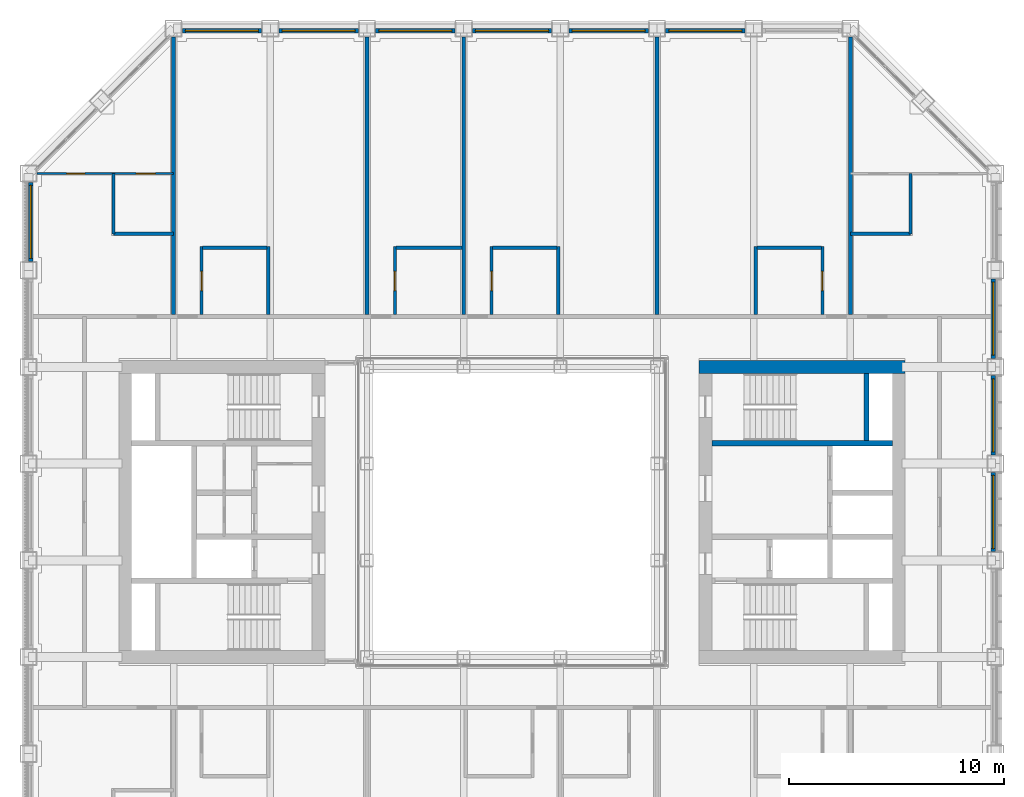
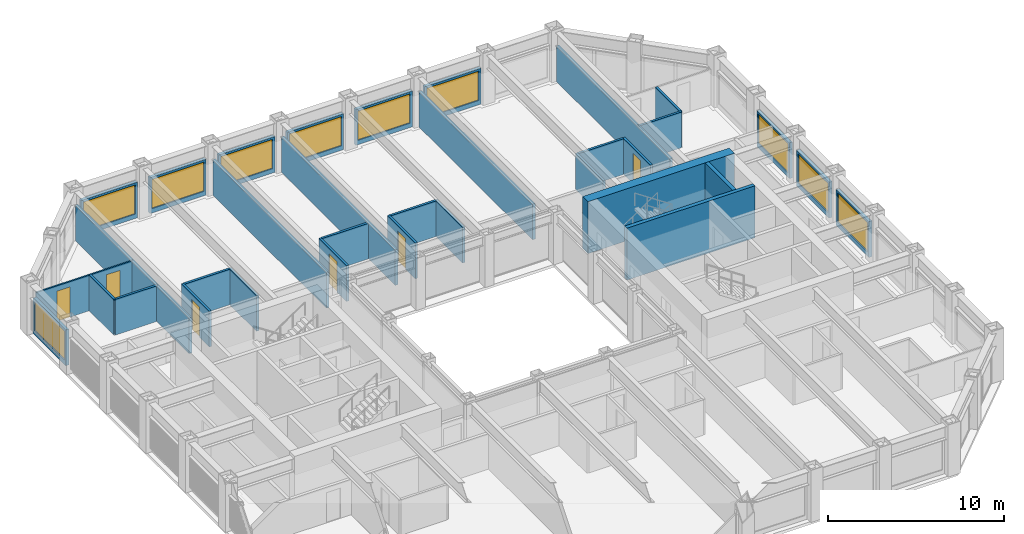
# One storey, part 13 of 17: 34 walls, 10 windows, 6 doors, 16 openings.
"""IFC4 building model written with IfcOpenShell, lengths in metres."""

from ifc_helpers import new_model, si_unit, direction, frame, frame_2d, origin, place, context, subcontext, project, spatial, rectangle, extrude, material, layer, layer_set, type_object, element, fill, save


model = new_model("IFC4")

# Units and contexts
model_context = context("Model", 3, precision=1e-05, world=origin(), true_north=direction((0.0, 1.0)))
body_context = subcontext(model_context, "Body", "Model", "MODEL_VIEW")
ifc_project = project(units=[si_unit("LENGTHUNIT", "METRE"), si_unit("AREAUNIT", "SQUARE_METRE"), si_unit("VOLUMEUNIT", "CUBIC_METRE"), si_unit("PLANEANGLEUNIT", "RADIAN"), si_unit("MASSUNIT", "GRAM", prefix="KILO")], contexts=[model_context])

# Site, building, storey
site_placement = place(None, origin())
site = spatial("IfcSite", under=ifc_project, at=site_placement, CompositionType="ELEMENT")
building_placement = place(site_placement, origin())
building = spatial("IfcBuilding", under=site, at=building_placement, Name="Msasa Ring Tower", CompositionType="ELEMENT")
storey_placement = place(building_placement, frame((0.0, 0.0, 168.800048828125)))
storey = spatial("IfcBuildingStorey", under=building, at=storey_placement, Name="L44", CompositionType="ELEMENT", Elevation=168.800048828125)

# Walls
ifc_material_1 = material(Name="Concrete C60/75", Category="concrete")
ifc_layer_1 = layer(ifc_material_1, 0.60009765625)
ifc_layer_set_1 = layer_set([ifc_layer_1], Name="CW2 CORE WALL 600")
wall_type_1 = type_object("IfcWallType", Name="CW2 CORE WALL 600", PredefinedType="SHEAR", material=ifc_layer_set_1)
wall_1_placement = place(storey_placement, frame((8.699951171875, 6.75, 0.0), z_axis=(0.0, 0.0, 1.0), x_axis=(1.0, 0.0, 0.0)))
element("IfcWall", 1, at=wall_1_placement, inside=storey, type_object=wall_type_1, Name="E core wall N L44", PredefinedType="SHEAR", context=body_context, shape_type="SweptSolid", body=[
    extrude(rectangle(XDim=9.60009765625, YDim=0.60009765625, at=frame_2d((4.800048828125, 0.0))), origin(), (0.0, 0.0, 1.0), 3.599853515625),
])
ifc_material_2 = material(Name="Concrete C60/75", Category="concrete")
ifc_layer_2 = layer(ifc_material_2, 0.25)
ifc_layer_set_2 = layer_set([ifc_layer_2], Name="CW4 CORE INNER WALL 250")
wall_type_2 = type_object("IfcWallType", Name="CW4 CORE INNER WALL 250", PredefinedType="SHEAR", material=ifc_layer_set_2)
wall_2_placement = place(storey_placement, frame((9.300048828125, 3.199951171875, 0.0), z_axis=(0.0, 0.0, 1.0), x_axis=(1.0, 0.0, 0.0)))
element("IfcWall", 2, at=wall_2_placement, inside=storey, type_object=wall_type_2, Name="E core wall STAIRB L44", PredefinedType="SHEAR", context=body_context, shape_type="SweptSolid", body=[
    extrude(rectangle(XDim=8.39990234375, YDim=0.25, at=frame_2d((4.199951171875, 0.0))), origin(), (0.0, 0.0, 1.0), 3.599853515625),
])
wall_3_placement = place(storey_placement, frame((16.5, 3.324951171875, 0.0), z_axis=(0.0, 0.0, 1.0), x_axis=(0.0, 1.0, 0.0)))
element("IfcWall", 3, at=wall_3_placement, inside=storey, type_object=wall_type_2, Name="E core wall RISERB L44", PredefinedType="SHEAR", context=body_context, shape_type="SweptSolid", body=[
    extrude(rectangle(XDim=3.125, YDim=0.25, at=frame_2d((1.5625, 0.0))), origin(), (0.0, 0.0, 1.0), 3.599853515625),
])

# Wall, opening, window
ifc_material_3 = material(Name="Terracotta rainscreen on blockwork", Category="masonry")
ifc_layer_3 = layer(ifc_material_3, 0.199951171875)
ifc_layer_set_3 = layer_set([ifc_layer_3], Name="FW1 TERRACOTTA-LINED INFILL BAY WALL 200")
wall_type_3 = type_object("IfcWallType", Name="FW1 TERRACOTTA-LINED INFILL BAY WALL 200", PredefinedType="SOLIDWALL", material=ifc_layer_set_3)
wall_4_placement = place(storey_placement, frame((22.39990234375, -1.844970703125, 0.0), z_axis=(0.0, 0.0, 1.0), x_axis=(0.0, 1.0, 0.0)))
wall_4 = element("IfcWall", 4, at=wall_4_placement, inside=storey, type_object=wall_type_3, Name="Infill bay wall E L44 12", PredefinedType="SOLIDWALL", context=body_context, shape_type="SweptSolid", body=[
    extrude(rectangle(XDim=3.68994140625, YDim=0.199951171875, at=frame_2d((1.844970703125, 0.0))), origin(), (0.0, 0.0, 1.0), 2.47900390625),
])
opening_1_placement = place(wall_4_placement, frame((0.14501953125, 0.0, 0.300048828125)))
opening_1 = element("IfcOpeningElement", 5, at=opening_1_placement, cuts=wall_4, Name="Opening WN2", PredefinedType="OPENING", context=body_context, shape_type="SweptSolid", body=[
    extrude(rectangle(XDim=3.39990234375, YDim=2.029052734375, at=frame_2d((1.699951171875, 1.0146484375))), frame((0.0, 0.10986328125, 0.0), z_axis=(0.0, -1.0, 0.0), x_axis=(1.0, 0.0, 0.0)), (0.0, 0.0, 1.0), 0.219970703125),
])
ifc_material_4 = material(Name="Aluminium frame with clear glass", Category="aluminium")
window_type = type_object("IfcWindowType", Name="WN2 GUEST ROOM WINDOW 3400x2029", PartitioningType="SINGLE_PANEL", PredefinedType="WINDOW", material=ifc_material_4)
window_1_placement = place(opening_1_placement, origin())
window_1 = element("IfcWindow", 6, at=window_1_placement, inside=storey, type_object=window_type, Name="Window E L44 12", OverallHeight=2.029052734375, OverallWidth=3.39990234375, PartitioningType="SINGLE_PANEL", PredefinedType="WINDOW", context=body_context, shape_type="SweptSolid", body=[
    extrude(rectangle(XDim=3.39990234375, YDim=2.029052734375, at=frame_2d((1.699951171875, 1.0146484375))), frame((0.0, 0.030029296875, 0.0), z_axis=(0.0, -1.0, 0.0), x_axis=(1.0, 0.0, 0.0)), (0.0, 0.0, 1.0), 0.06005859375),
])
fill(opening_1, window_1)

wall_5_placement = place(storey_placement, frame((22.39990234375, 2.655029296875, 0.0), z_axis=(0.0, 0.0, 1.0), x_axis=(0.0, 1.0, 0.0)))
wall_5 = element("IfcWall", 7, at=wall_5_placement, inside=storey, type_object=wall_type_3, Name="Infill bay wall E L44 13", PredefinedType="SOLIDWALL", context=body_context, shape_type="SweptSolid", body=[
    extrude(rectangle(XDim=3.68994140625, YDim=0.199951171875, at=frame_2d((1.844970703125, 0.0))), origin(), (0.0, 0.0, 1.0), 2.47900390625),
])
opening_2_placement = place(wall_5_placement, frame((0.14501953125, 0.0, 0.300048828125)))
opening_2 = element("IfcOpeningElement", 8, at=opening_2_placement, cuts=wall_5, Name="Opening WN2", PredefinedType="OPENING", context=body_context, shape_type="SweptSolid", body=[
    extrude(rectangle(XDim=3.39990234375, YDim=2.029052734375, at=frame_2d((1.699951171875, 1.0146484375))), frame((0.0, 0.10986328125, 0.0), z_axis=(0.0, -1.0, 0.0), x_axis=(1.0, 0.0, 0.0)), (0.0, 0.0, 1.0), 0.219970703125),
])
window_2_placement = place(opening_2_placement, origin())
window_2 = element("IfcWindow", 9, at=window_2_placement, inside=storey, type_object=window_type, Name="Window E L44 13", OverallHeight=2.029052734375, OverallWidth=3.39990234375, PartitioningType="SINGLE_PANEL", PredefinedType="WINDOW", context=body_context, shape_type="SweptSolid", body=[
    extrude(rectangle(XDim=3.39990234375, YDim=2.029052734375, at=frame_2d((1.699951171875, 1.0146484375))), frame((0.0, 0.030029296875, 0.0), z_axis=(0.0, -1.0, 0.0), x_axis=(1.0, 0.0, 0.0)), (0.0, 0.0, 1.0), 0.06005859375),
])
fill(opening_2, window_2)

wall_6_placement = place(storey_placement, frame((22.39990234375, 7.155029296875, 0.0), z_axis=(0.0, 0.0, 1.0), x_axis=(0.0, 1.0, 0.0)))
wall_6 = element("IfcWall", 10, at=wall_6_placement, inside=storey, type_object=wall_type_3, Name="Infill bay wall E L44 14", PredefinedType="SOLIDWALL", context=body_context, shape_type="SweptSolid", body=[
    extrude(rectangle(XDim=3.68994140625, YDim=0.199951171875, at=frame_2d((1.844970703125, 0.0))), origin(), (0.0, 0.0, 1.0), 2.47900390625),
])
opening_3_placement = place(wall_6_placement, frame((0.14501953125, 0.0, 0.300048828125)))
opening_3 = element("IfcOpeningElement", 11, at=opening_3_placement, cuts=wall_6, Name="Opening WN2", PredefinedType="OPENING", context=body_context, shape_type="SweptSolid", body=[
    extrude(rectangle(XDim=3.39990234375, YDim=2.029052734375, at=frame_2d((1.699951171875, 1.0146484375))), frame((0.0, 0.10986328125, 0.0), z_axis=(0.0, -1.0, 0.0), x_axis=(1.0, 0.0, 0.0)), (0.0, 0.0, 1.0), 0.219970703125),
])
window_3_placement = place(opening_3_placement, origin())
window_3 = element("IfcWindow", 12, at=window_3_placement, inside=storey, type_object=window_type, Name="Window E L44 14", OverallHeight=2.029052734375, OverallWidth=3.39990234375, PartitioningType="SINGLE_PANEL", PredefinedType="WINDOW", context=body_context, shape_type="SweptSolid", body=[
    extrude(rectangle(XDim=3.39990234375, YDim=2.029052734375, at=frame_2d((1.699951171875, 1.0146484375))), frame((0.0, 0.030029296875, 0.0), z_axis=(0.0, -1.0, 0.0), x_axis=(1.0, 0.0, 0.0)), (0.0, 0.0, 1.0), 0.06005859375),
])
fill(opening_3, window_3)

wall_7_placement = place(storey_placement, frame((-15.344970703125, 22.39990234375, 0.0), z_axis=(0.0, 0.0, 1.0), x_axis=(1.0, 0.0, 0.0)))
wall_7 = element("IfcWall", 13, at=wall_7_placement, inside=storey, type_object=wall_type_3, Name="Infill bay wall N L44 18", PredefinedType="SOLIDWALL", context=body_context, shape_type="SweptSolid", body=[
    extrude(rectangle(XDim=3.68994140625, YDim=0.199951171875, at=frame_2d((1.844970703125, 0.0))), origin(), (0.0, 0.0, 1.0), 2.47900390625),
])
opening_4_placement = place(wall_7_placement, frame((0.14501953125, 0.0, 0.300048828125)))
opening_4 = element("IfcOpeningElement", 14, at=opening_4_placement, cuts=wall_7, Name="Opening WN2", PredefinedType="OPENING", context=body_context, shape_type="SweptSolid", body=[
    extrude(rectangle(XDim=3.39990234375, YDim=2.029052734375, at=frame_2d((1.699951171875, 1.0146484375))), frame((0.0, 0.10986328125, 0.0), z_axis=(0.0, -1.0, 0.0), x_axis=(1.0, 0.0, 0.0)), (0.0, 0.0, 1.0), 0.219970703125),
])
window_4_placement = place(opening_4_placement, origin())
window_4 = element("IfcWindow", 15, at=window_4_placement, inside=storey, type_object=window_type, Name="Window N L44 18", OverallHeight=2.029052734375, OverallWidth=3.39990234375, PartitioningType="SINGLE_PANEL", PredefinedType="WINDOW", context=body_context, shape_type="SweptSolid", body=[
    extrude(rectangle(XDim=3.39990234375, YDim=2.029052734375, at=frame_2d((1.699951171875, 1.0146484375))), frame((0.0, 0.030029296875, 0.0), z_axis=(0.0, -1.0, 0.0), x_axis=(1.0, 0.0, 0.0)), (0.0, 0.0, 1.0), 0.06005859375),
])
fill(opening_4, window_4)

wall_8_placement = place(storey_placement, frame((-10.844970703125, 22.39990234375, 0.0), z_axis=(0.0, 0.0, 1.0), x_axis=(1.0, 0.0, 0.0)))
wall_8 = element("IfcWall", 16, at=wall_8_placement, inside=storey, type_object=wall_type_3, Name="Infill bay wall N L44 19", PredefinedType="SOLIDWALL", context=body_context, shape_type="SweptSolid", body=[
    extrude(rectangle(XDim=3.68994140625, YDim=0.199951171875, at=frame_2d((1.844970703125, 0.0))), origin(), (0.0, 0.0, 1.0), 2.47900390625),
])
opening_5_placement = place(wall_8_placement, frame((0.14501953125, 0.0, 0.300048828125)))
opening_5 = element("IfcOpeningElement", 17, at=opening_5_placement, cuts=wall_8, Name="Opening WN2", PredefinedType="OPENING", context=body_context, shape_type="SweptSolid", body=[
    extrude(rectangle(XDim=3.39990234375, YDim=2.029052734375, at=frame_2d((1.699951171875, 1.0146484375))), frame((0.0, 0.10986328125, 0.0), z_axis=(0.0, -1.0, 0.0), x_axis=(1.0, 0.0, 0.0)), (0.0, 0.0, 1.0), 0.219970703125),
])
window_5_placement = place(opening_5_placement, origin())
window_5 = element("IfcWindow", 18, at=window_5_placement, inside=storey, type_object=window_type, Name="Window N L44 19", OverallHeight=2.029052734375, OverallWidth=3.39990234375, PartitioningType="SINGLE_PANEL", PredefinedType="WINDOW", context=body_context, shape_type="SweptSolid", body=[
    extrude(rectangle(XDim=3.39990234375, YDim=2.029052734375, at=frame_2d((1.699951171875, 1.0146484375))), frame((0.0, 0.030029296875, 0.0), z_axis=(0.0, -1.0, 0.0), x_axis=(1.0, 0.0, 0.0)), (0.0, 0.0, 1.0), 0.06005859375),
])
fill(opening_5, window_5)

wall_9_placement = place(storey_placement, frame((-6.344970703125, 22.39990234375, 0.0), z_axis=(0.0, 0.0, 1.0), x_axis=(1.0, 0.0, 0.0)))
wall_9 = element("IfcWall", 19, at=wall_9_placement, inside=storey, type_object=wall_type_3, Name="Infill bay wall N L44 20", PredefinedType="SOLIDWALL", context=body_context, shape_type="SweptSolid", body=[
    extrude(rectangle(XDim=3.68994140625, YDim=0.199951171875, at=frame_2d((1.844970703125, 0.0))), origin(), (0.0, 0.0, 1.0), 2.47900390625),
])
opening_6_placement = place(wall_9_placement, frame((0.14501953125, 0.0, 0.300048828125)))
opening_6 = element("IfcOpeningElement", 20, at=opening_6_placement, cuts=wall_9, Name="Opening WN2", PredefinedType="OPENING", context=body_context, shape_type="SweptSolid", body=[
    extrude(rectangle(XDim=3.39990234375, YDim=2.029052734375, at=frame_2d((1.699951171875, 1.0146484375))), frame((0.0, 0.10986328125, 0.0), z_axis=(0.0, -1.0, 0.0), x_axis=(1.0, 0.0, 0.0)), (0.0, 0.0, 1.0), 0.219970703125),
])
window_6_placement = place(opening_6_placement, origin())
window_6 = element("IfcWindow", 21, at=window_6_placement, inside=storey, type_object=window_type, Name="Window N L44 20", OverallHeight=2.029052734375, OverallWidth=3.39990234375, PartitioningType="SINGLE_PANEL", PredefinedType="WINDOW", context=body_context, shape_type="SweptSolid", body=[
    extrude(rectangle(XDim=3.39990234375, YDim=2.029052734375, at=frame_2d((1.699951171875, 1.0146484375))), frame((0.0, 0.030029296875, 0.0), z_axis=(0.0, -1.0, 0.0), x_axis=(1.0, 0.0, 0.0)), (0.0, 0.0, 1.0), 0.06005859375),
])
fill(opening_6, window_6)

wall_10_placement = place(storey_placement, frame((-1.844970703125, 22.39990234375, 0.0), z_axis=(0.0, 0.0, 1.0), x_axis=(1.0, 0.0, 0.0)))
wall_10 = element("IfcWall", 22, at=wall_10_placement, inside=storey, type_object=wall_type_3, Name="Infill bay wall N L44 21", PredefinedType="SOLIDWALL", context=body_context, shape_type="SweptSolid", body=[
    extrude(rectangle(XDim=3.68994140625, YDim=0.199951171875, at=frame_2d((1.844970703125, 0.0))), origin(), (0.0, 0.0, 1.0), 2.47900390625),
])
opening_7_placement = place(wall_10_placement, frame((0.14501953125, 0.0, 0.300048828125)))
opening_7 = element("IfcOpeningElement", 23, at=opening_7_placement, cuts=wall_10, Name="Opening WN2", PredefinedType="OPENING", context=body_context, shape_type="SweptSolid", body=[
    extrude(rectangle(XDim=3.39990234375, YDim=2.029052734375, at=frame_2d((1.699951171875, 1.0146484375))), frame((0.0, 0.10986328125, 0.0), z_axis=(0.0, -1.0, 0.0), x_axis=(1.0, 0.0, 0.0)), (0.0, 0.0, 1.0), 0.219970703125),
])
window_7_placement = place(opening_7_placement, origin())
window_7 = element("IfcWindow", 24, at=window_7_placement, inside=storey, type_object=window_type, Name="Window N L44 21", OverallHeight=2.029052734375, OverallWidth=3.39990234375, PartitioningType="SINGLE_PANEL", PredefinedType="WINDOW", context=body_context, shape_type="SweptSolid", body=[
    extrude(rectangle(XDim=3.39990234375, YDim=2.029052734375, at=frame_2d((1.699951171875, 1.0146484375))), frame((0.0, 0.030029296875, 0.0), z_axis=(0.0, -1.0, 0.0), x_axis=(1.0, 0.0, 0.0)), (0.0, 0.0, 1.0), 0.06005859375),
])
fill(opening_7, window_7)

wall_11_placement = place(storey_placement, frame((2.655029296875, 22.39990234375, 0.0), z_axis=(0.0, 0.0, 1.0), x_axis=(1.0, 0.0, 0.0)))
wall_11 = element("IfcWall", 25, at=wall_11_placement, inside=storey, type_object=wall_type_3, Name="Infill bay wall N L44 22", PredefinedType="SOLIDWALL", context=body_context, shape_type="SweptSolid", body=[
    extrude(rectangle(XDim=3.68994140625, YDim=0.199951171875, at=frame_2d((1.844970703125, 0.0))), origin(), (0.0, 0.0, 1.0), 2.47900390625),
])
opening_8_placement = place(wall_11_placement, frame((0.14501953125, 0.0, 0.300048828125)))
opening_8 = element("IfcOpeningElement", 26, at=opening_8_placement, cuts=wall_11, Name="Opening WN2", PredefinedType="OPENING", context=body_context, shape_type="SweptSolid", body=[
    extrude(rectangle(XDim=3.39990234375, YDim=2.029052734375, at=frame_2d((1.699951171875, 1.0146484375))), frame((0.0, 0.10986328125, 0.0), z_axis=(0.0, -1.0, 0.0), x_axis=(1.0, 0.0, 0.0)), (0.0, 0.0, 1.0), 0.219970703125),
])
window_8_placement = place(opening_8_placement, origin())
window_8 = element("IfcWindow", 27, at=window_8_placement, inside=storey, type_object=window_type, Name="Window N L44 22", OverallHeight=2.029052734375, OverallWidth=3.39990234375, PartitioningType="SINGLE_PANEL", PredefinedType="WINDOW", context=body_context, shape_type="SweptSolid", body=[
    extrude(rectangle(XDim=3.39990234375, YDim=2.029052734375, at=frame_2d((1.699951171875, 1.0146484375))), frame((0.0, 0.030029296875, 0.0), z_axis=(0.0, -1.0, 0.0), x_axis=(1.0, 0.0, 0.0)), (0.0, 0.0, 1.0), 0.06005859375),
])
fill(opening_8, window_8)

wall_12_placement = place(storey_placement, frame((7.155029296875, 22.39990234375, 0.0), z_axis=(0.0, 0.0, 1.0), x_axis=(1.0, 0.0, 0.0)))
wall_12 = element("IfcWall", 28, at=wall_12_placement, inside=storey, type_object=wall_type_3, Name="Infill bay wall N L44 23", PredefinedType="SOLIDWALL", context=body_context, shape_type="SweptSolid", body=[
    extrude(rectangle(XDim=3.68994140625, YDim=0.199951171875, at=frame_2d((1.844970703125, 0.0))), origin(), (0.0, 0.0, 1.0), 2.47900390625),
])
opening_9_placement = place(wall_12_placement, frame((0.14501953125, 0.0, 0.300048828125)))
opening_9 = element("IfcOpeningElement", 29, at=opening_9_placement, cuts=wall_12, Name="Opening WN2", PredefinedType="OPENING", context=body_context, shape_type="SweptSolid", body=[
    extrude(rectangle(XDim=3.39990234375, YDim=2.029052734375, at=frame_2d((1.699951171875, 1.0146484375))), frame((0.0, 0.10986328125, 0.0), z_axis=(0.0, -1.0, 0.0), x_axis=(1.0, 0.0, 0.0)), (0.0, 0.0, 1.0), 0.219970703125),
])
window_9_placement = place(opening_9_placement, origin())
window_9 = element("IfcWindow", 30, at=window_9_placement, inside=storey, type_object=window_type, Name="Window N L44 23", OverallHeight=2.029052734375, OverallWidth=3.39990234375, PartitioningType="SINGLE_PANEL", PredefinedType="WINDOW", context=body_context, shape_type="SweptSolid", body=[
    extrude(rectangle(XDim=3.39990234375, YDim=2.029052734375, at=frame_2d((1.699951171875, 1.0146484375))), frame((0.0, 0.030029296875, 0.0), z_axis=(0.0, -1.0, 0.0), x_axis=(1.0, 0.0, 0.0)), (0.0, 0.0, 1.0), 0.06005859375),
])
fill(opening_9, window_9)

wall_13_placement = place(storey_placement, frame((-22.39990234375, 11.655029296875, 0.0), z_axis=(0.0, 0.0, 1.0), x_axis=(0.0, 1.0, 0.0)))
wall_13 = element("IfcWall", 31, at=wall_13_placement, inside=storey, type_object=wall_type_3, Name="Infill bay wall W L44 33", PredefinedType="SOLIDWALL", context=body_context, shape_type="SweptSolid", body=[
    extrude(rectangle(XDim=3.68994140625, YDim=0.199951171875, at=frame_2d((1.844970703125, 0.0))), origin(), (0.0, 0.0, 1.0), 2.47900390625),
])
opening_10_placement = place(wall_13_placement, frame((0.14501953125, 0.0, 0.300048828125)))
opening_10 = element("IfcOpeningElement", 32, at=opening_10_placement, cuts=wall_13, Name="Opening WN2", PredefinedType="OPENING", context=body_context, shape_type="SweptSolid", body=[
    extrude(rectangle(XDim=3.39990234375, YDim=2.029052734375, at=frame_2d((1.699951171875, 1.0146484375))), frame((0.0, 0.10986328125, 0.0), z_axis=(0.0, -1.0, 0.0), x_axis=(1.0, 0.0, 0.0)), (0.0, 0.0, 1.0), 0.219970703125),
])
window_10_placement = place(opening_10_placement, origin())
window_10 = element("IfcWindow", 33, at=window_10_placement, inside=storey, type_object=window_type, Name="Window W L44 33", OverallHeight=2.029052734375, OverallWidth=3.39990234375, PartitioningType="SINGLE_PANEL", PredefinedType="WINDOW", context=body_context, shape_type="SweptSolid", body=[
    extrude(rectangle(XDim=3.39990234375, YDim=2.029052734375, at=frame_2d((1.699951171875, 1.0146484375))), frame((0.0, 0.030029296875, 0.0), z_axis=(0.0, -1.0, 0.0), x_axis=(1.0, 0.0, 0.0)), (0.0, 0.0, 1.0), 0.06005859375),
])
fill(opening_10, window_10)

# Wall, openings, doors
ifc_material_5 = material(Name="Gypsum board on steel studs", Category="steel")
ifc_layer_4 = layer(ifc_material_5, 0.10009765625)
ifc_layer_set_4 = layer_set([ifc_layer_4], Name="PT2 STUD PARTITION 100")
wall_type_4 = type_object("IfcWallType", Name="PT2 STUD PARTITION 100", PredefinedType="PARTITIONING", material=ifc_layer_set_4)
wall_14_placement = place(storey_placement, frame((-22.10009765625, 15.75, 0.0), z_axis=(0.0, 0.0, 1.0), x_axis=(1.0, 0.0, 0.0)))
wall_14 = element("IfcWall", 34, at=wall_14_placement, inside=storey, type_object=wall_type_4, Name="Partition L44-CSNWX", PredefinedType="PARTITIONING", context=body_context, shape_type="SweptSolid", body=[
    extrude(rectangle(XDim=6.35009765625, YDim=0.10009765625, at=frame_2d((3.175048828125, 0.0))), origin(), (0.0, 0.0, 1.0), 2.473388671875),
])
opening_11_placement = place(wall_14_placement, frame((1.375, 0.0, 0.0)))
opening_11 = element("IfcOpeningElement", 35, at=opening_11_placement, cuts=wall_14, Name="Opening HE-001", PredefinedType="OPENING", context=body_context, shape_type="SweptSolid", body=[
    extrude(rectangle(XDim=0.85009765625, YDim=2.10009765625, at=frame_2d((0.425048828125, 1.050048828125))), frame((0.0, 0.06005859375, 0.0), z_axis=(0.0, -1.0, 0.0), x_axis=(1.0, 0.0, 0.0)), (0.0, 0.0, 1.0), 0.1201171875),
])
opening_12_placement = place(wall_14_placement, frame((4.60009765625, 0.0, 0.0)))
opening_12 = element("IfcOpeningElement", 36, at=opening_12_placement, cuts=wall_14, Name="Opening HE-002", PredefinedType="OPENING", context=body_context, shape_type="SweptSolid", body=[
    extrude(rectangle(XDim=0.89990234375, YDim=2.10009765625, at=frame_2d((0.449951171875, 1.050048828125))), frame((0.0, 0.06005859375, 0.0), z_axis=(0.0, -1.0, 0.0), x_axis=(1.0, 0.0, 0.0)), (0.0, 0.0, 1.0), 0.1201171875),
])
ifc_material_6 = material(Name="Timber door leaf in a steel frame", Category="steel")
door_type_1 = type_object("IfcDoorType", Name="D14 BEDROOM DOOR 850x2100", OperationType="SINGLE_SWING_LEFT", PredefinedType="DOOR", material=ifc_material_6)
door_1_placement = place(opening_11_placement, origin())
door_1 = element("IfcDoor", 37, at=door_1_placement, inside=storey, type_object=door_type_1, Name="Door L44-CSNWR1", OperationType="SINGLE_SWING_LEFT", OverallHeight=2.10009765625, OverallWidth=0.85009765625, PredefinedType="DOOR", context=body_context, shape_type="SweptSolid", body=[
    extrude(rectangle(XDim=0.85009765625, YDim=2.10009765625, at=frame_2d((0.425048828125, 1.050048828125))), frame((0.0, 0.02490234375, 0.0), z_axis=(0.0, -1.0, 0.0), x_axis=(1.0, 0.0, 0.0)), (0.0, 0.0, 1.0), 0.050048828125),
])
fill(opening_11, door_1)
ifc_material_7 = material(Name="Timber door leaf in a steel frame", Category="steel")
door_type_2 = type_object("IfcDoorType", Name="D3 BATHROOM DOOR 900x2100", OperationType="SINGLE_SWING_LEFT", PredefinedType="DOOR", material=ifc_material_7)
door_2_placement = place(opening_12_placement, origin())
door_2 = element("IfcDoor", 38, at=door_2_placement, inside=storey, type_object=door_type_2, Name="Door L44-CSNWB1", OperationType="SINGLE_SWING_RIGHT", OverallHeight=2.10009765625, OverallWidth=0.89990234375, PredefinedType="DOOR", context=body_context, shape_type="SweptSolid", body=[
    extrude(rectangle(XDim=0.89990234375, YDim=2.10009765625, at=frame_2d((0.449951171875, 1.050048828125))), frame((0.0, 0.02490234375, 0.0), z_axis=(0.0, -1.0, 0.0), x_axis=(1.0, 0.0, 0.0)), (0.0, 0.0, 1.0), 0.050048828125),
])
fill(opening_12, door_2)

# Wall, opening, door
ifc_material_8 = material(Name="Moisture-resistant board on steel studs with a concealed cistern and pipe void, tiled", Category="steel")
ifc_layer_5 = layer(ifc_material_8, 0.14990234375)
ifc_layer_set_5 = layer_set([ifc_layer_5], Name="PT4 BATHROOM WET WALL 150")
wall_type_5 = type_object("IfcWallType", Name="PT4 BATHROOM WET WALL 150", PredefinedType="PARTITIONING", material=ifc_layer_set_5)
wall_15_placement = place(storey_placement, frame((-14.449951171875, 9.199951171875, 0.0), z_axis=(0.0, 0.0, 1.0), x_axis=(0.0, 1.0, 0.0)))
wall_15 = element("IfcWall", 39, at=wall_15_placement, inside=storey, type_object=wall_type_5, Name="Partition L44-GN00BX", PredefinedType="PARTITIONING", context=body_context, shape_type="SweptSolid", body=[
    extrude(rectangle(XDim=3.150146484375, YDim=0.14990234375, at=frame_2d((1.5751953125, 0.0))), origin(), (0.0, 0.0, 1.0), 2.473388671875),
])
opening_13_placement = place(wall_15_placement, frame((1.10009765625, 0.0, 0.0)))
opening_13 = element("IfcOpeningElement", 40, at=opening_13_placement, cuts=wall_15, Name="Opening HE-005", PredefinedType="OPENING", context=body_context, shape_type="SweptSolid", body=[
    extrude(rectangle(XDim=0.89990234375, YDim=2.10009765625, at=frame_2d((0.449951171875, 1.050048828125))), frame((0.0, 0.0849609375, 0.0), z_axis=(0.0, -1.0, 0.0), x_axis=(1.0, 0.0, 0.0)), (0.0, 0.0, 1.0), 0.169921875),
])
door_3_placement = place(opening_13_placement, origin())
door_3 = element("IfcDoor", 41, at=door_3_placement, inside=storey, type_object=door_type_2, Name="Door L44-GN00B", OperationType="SINGLE_SWING_LEFT", OverallHeight=2.10009765625, OverallWidth=0.89990234375, PredefinedType="DOOR", context=body_context, shape_type="SweptSolid", body=[
    extrude(rectangle(XDim=0.89990234375, YDim=2.10009765625, at=frame_2d((0.449951171875, 1.050048828125))), frame((0.0, 0.02490234375, 0.0), z_axis=(0.0, -1.0, 0.0), x_axis=(1.0, 0.0, 0.0)), (0.0, 0.0, 1.0), 0.050048828125),
])
fill(opening_13, door_3)

# Walls
wall_16_placement = place(storey_placement, frame((-11.35009765625, 9.199951171875, 0.0), z_axis=(0.0, 0.0, 1.0), x_axis=(0.0, 1.0, 0.0)))
element("IfcWall", 42, at=wall_16_placement, inside=storey, type_object=wall_type_5, Name="Partition L44-GN00BF", PredefinedType="PARTITIONING", context=body_context, shape_type="SweptSolid", body=[
    extrude(rectangle(XDim=3.150146484375, YDim=0.14990234375, at=frame_2d((1.5751953125, 0.0))), origin(), (0.0, 0.0, 1.0), 2.473388671875),
])
wall_17_placement = place(storey_placement, frame((-14.39990234375, 12.300048828125, 0.0), z_axis=(0.0, 0.0, 1.0), x_axis=(1.0, 0.0, 0.0)))
element("IfcWall", 43, at=wall_17_placement, inside=storey, type_object=wall_type_5, Name="Partition L44-GN00BY", PredefinedType="PARTITIONING", context=body_context, shape_type="SweptSolid", body=[
    extrude(rectangle(XDim=3.0, YDim=0.14990234375, at=frame_2d((1.5, 0.0))), origin(), (0.0, 0.0, 1.0), 2.473388671875),
])

# Wall, opening, door
wall_18_placement = place(storey_placement, frame((-5.449951171875, 9.199951171875, 0.0), z_axis=(0.0, 0.0, 1.0), x_axis=(0.0, 1.0, 0.0)))
wall_18 = element("IfcWall", 44, at=wall_18_placement, inside=storey, type_object=wall_type_5, Name="Partition L44-GN01BX", PredefinedType="PARTITIONING", context=body_context, shape_type="SweptSolid", body=[
    extrude(rectangle(XDim=3.150146484375, YDim=0.14990234375, at=frame_2d((1.5751953125, 0.0))), origin(), (0.0, 0.0, 1.0), 2.473388671875),
])
opening_14_placement = place(wall_18_placement, frame((1.10009765625, 0.0, 0.0)))
opening_14 = element("IfcOpeningElement", 45, at=opening_14_placement, cuts=wall_18, Name="Opening HE-006", PredefinedType="OPENING", context=body_context, shape_type="SweptSolid", body=[
    extrude(rectangle(XDim=0.89990234375, YDim=2.10009765625, at=frame_2d((0.449951171875, 1.050048828125))), frame((0.0, 0.0849609375, 0.0), z_axis=(0.0, -1.0, 0.0), x_axis=(1.0, 0.0, 0.0)), (0.0, 0.0, 1.0), 0.169921875),
])
door_4_placement = place(opening_14_placement, origin())
door_4 = element("IfcDoor", 46, at=door_4_placement, inside=storey, type_object=door_type_2, Name="Door L44-GN01B", OperationType="SINGLE_SWING_LEFT", OverallHeight=2.10009765625, OverallWidth=0.89990234375, PredefinedType="DOOR", context=body_context, shape_type="SweptSolid", body=[
    extrude(rectangle(XDim=0.89990234375, YDim=2.10009765625, at=frame_2d((0.449951171875, 1.050048828125))), frame((0.0, 0.02490234375, 0.0), z_axis=(0.0, -1.0, 0.0), x_axis=(1.0, 0.0, 0.0)), (0.0, 0.0, 1.0), 0.050048828125),
])
fill(opening_14, door_4)

# Wall
wall_19_placement = place(storey_placement, frame((-5.39990234375, 12.300048828125, 0.0), z_axis=(0.0, 0.0, 1.0), x_axis=(1.0, 0.0, 0.0)))
element("IfcWall", 47, at=wall_19_placement, inside=storey, type_object=wall_type_5, Name="Partition L44-GN01BY", PredefinedType="PARTITIONING", context=body_context, shape_type="SweptSolid", body=[
    extrude(rectangle(XDim=3.0625, YDim=0.14990234375, at=frame_2d((1.53125, 0.0))), origin(), (0.0, 0.0, 1.0), 2.473388671875),
])

# Wall, opening, door
wall_20_placement = place(storey_placement, frame((-0.949951171875, 9.199951171875, 0.0), z_axis=(0.0, 0.0, 1.0), x_axis=(0.0, 1.0, 0.0)))
wall_20 = element("IfcWall", 48, at=wall_20_placement, inside=storey, type_object=wall_type_5, Name="Partition L44-GN02BX", PredefinedType="PARTITIONING", context=body_context, shape_type="SweptSolid", body=[
    extrude(rectangle(XDim=3.150146484375, YDim=0.14990234375, at=frame_2d((1.5751953125, 0.0))), origin(), (0.0, 0.0, 1.0), 2.473388671875),
])
opening_15_placement = place(wall_20_placement, frame((1.10009765625, 0.0, 0.0)))
opening_15 = element("IfcOpeningElement", 49, at=opening_15_placement, cuts=wall_20, Name="Opening HE-007", PredefinedType="OPENING", context=body_context, shape_type="SweptSolid", body=[
    extrude(rectangle(XDim=0.89990234375, YDim=2.10009765625, at=frame_2d((0.449951171875, 1.050048828125))), frame((0.0, 0.0849609375, 0.0), z_axis=(0.0, -1.0, 0.0), x_axis=(1.0, 0.0, 0.0)), (0.0, 0.0, 1.0), 0.169921875),
])
door_5_placement = place(opening_15_placement, origin())
door_5 = element("IfcDoor", 50, at=door_5_placement, inside=storey, type_object=door_type_2, Name="Door L44-GN02B", OperationType="SINGLE_SWING_LEFT", OverallHeight=2.10009765625, OverallWidth=0.89990234375, PredefinedType="DOOR", context=body_context, shape_type="SweptSolid", body=[
    extrude(rectangle(XDim=0.89990234375, YDim=2.10009765625, at=frame_2d((0.449951171875, 1.050048828125))), frame((0.0, 0.02490234375, 0.0), z_axis=(0.0, -1.0, 0.0), x_axis=(1.0, 0.0, 0.0)), (0.0, 0.0, 1.0), 0.050048828125),
])
fill(opening_15, door_5)

# Walls
wall_21_placement = place(storey_placement, frame((2.14990234375, 9.199951171875, 0.0), z_axis=(0.0, 0.0, 1.0), x_axis=(0.0, 1.0, 0.0)))
element("IfcWall", 51, at=wall_21_placement, inside=storey, type_object=wall_type_5, Name="Partition L44-GN02BF", PredefinedType="PARTITIONING", context=body_context, shape_type="SweptSolid", body=[
    extrude(rectangle(XDim=3.150146484375, YDim=0.14990234375, at=frame_2d((1.5751953125, 0.0))), origin(), (0.0, 0.0, 1.0), 2.473388671875),
])
wall_22_placement = place(storey_placement, frame((-0.89990234375, 12.300048828125, 0.0), z_axis=(0.0, 0.0, 1.0), x_axis=(1.0, 0.0, 0.0)))
element("IfcWall", 52, at=wall_22_placement, inside=storey, type_object=wall_type_5, Name="Partition L44-GN02BY", PredefinedType="PARTITIONING", context=body_context, shape_type="SweptSolid", body=[
    extrude(rectangle(XDim=3.0, YDim=0.14990234375, at=frame_2d((1.5, 0.0))), origin(), (0.0, 0.0, 1.0), 2.473388671875),
])

# Wall, opening, door
wall_23_placement = place(storey_placement, frame((14.449951171875, 9.199951171875, 0.0), z_axis=(0.0, 0.0, 1.0), x_axis=(0.0, 1.0, 0.0)))
wall_23 = element("IfcWall", 53, at=wall_23_placement, inside=storey, type_object=wall_type_5, Name="Partition L44-GN03BX", PredefinedType="PARTITIONING", context=body_context, shape_type="SweptSolid", body=[
    extrude(rectangle(XDim=3.150146484375, YDim=0.14990234375, at=frame_2d((1.5751953125, 0.0))), origin(), (0.0, 0.0, 1.0), 2.473388671875),
])
opening_16_placement = place(wall_23_placement, frame((1.10009765625, 0.0, 0.0)))
opening_16 = element("IfcOpeningElement", 54, at=opening_16_placement, cuts=wall_23, Name="Opening HE-008", PredefinedType="OPENING", context=body_context, shape_type="SweptSolid", body=[
    extrude(rectangle(XDim=0.89990234375, YDim=2.10009765625, at=frame_2d((0.449951171875, 1.050048828125))), frame((0.0, 0.0849609375, 0.0), z_axis=(0.0, -1.0, 0.0), x_axis=(1.0, 0.0, 0.0)), (0.0, 0.0, 1.0), 0.169921875),
])
door_6_placement = place(opening_16_placement, origin())
door_6 = element("IfcDoor", 55, at=door_6_placement, inside=storey, type_object=door_type_2, Name="Door L44-GN03B", OperationType="SINGLE_SWING_LEFT", OverallHeight=2.10009765625, OverallWidth=0.89990234375, PredefinedType="DOOR", context=body_context, shape_type="SweptSolid", body=[
    extrude(rectangle(XDim=0.89990234375, YDim=2.10009765625, at=frame_2d((0.449951171875, 1.050048828125))), frame((0.0, 0.02490234375, 0.0), z_axis=(0.0, -1.0, 0.0), x_axis=(1.0, 0.0, 0.0)), (0.0, 0.0, 1.0), 0.050048828125),
])
fill(opening_16, door_6)

# Walls
wall_24_placement = place(storey_placement, frame((11.35009765625, 9.199951171875, 0.0), z_axis=(0.0, 0.0, 1.0), x_axis=(0.0, 1.0, 0.0)))
element("IfcWall", 56, at=wall_24_placement, inside=storey, type_object=wall_type_5, Name="Partition L44-GN03BF", PredefinedType="PARTITIONING", context=body_context, shape_type="SweptSolid", body=[
    extrude(rectangle(XDim=3.150146484375, YDim=0.14990234375, at=frame_2d((1.5751953125, 0.0))), origin(), (0.0, 0.0, 1.0), 2.473388671875),
])
wall_25_placement = place(storey_placement, frame((11.39990234375, 12.300048828125, 0.0), z_axis=(0.0, 0.0, 1.0), x_axis=(1.0, 0.0, 0.0)))
element("IfcWall", 57, at=wall_25_placement, inside=storey, type_object=wall_type_5, Name="Partition L44-GN03BY", PredefinedType="PARTITIONING", context=body_context, shape_type="SweptSolid", body=[
    extrude(rectangle(XDim=3.0, YDim=0.14990234375, at=frame_2d((1.5, 0.0))), origin(), (0.0, 0.0, 1.0), 2.473388671875),
])
for number, where, z_axis, x_axis, name in (
    (58, (18.550048828125, 12.949951171875, 0.0), (0.0, 0.0, 1.0), (0.0, 1.0, 0.0), "Partition L44-CSNEBX"),
    (59, (15.75, 12.949951171875, 0.0), (0.0, 0.0, 1.0), (1.0, 0.0, 0.0), "Partition L44-CSNEBY"),
    (60, (-18.550048828125, 12.949951171875, 0.0), (0.0, 0.0, 1.0), (0.0, 1.0, 0.0), "Partition L44-CSNWBX"),
    (61, (-18.550048828125, 12.949951171875, 0.0), (0.0, 0.0, 1.0), (1.0, 0.0, 0.0), "Partition L44-CSNWBY"),
):
    element("IfcWall", number, at=place(storey_placement, frame(where, z_axis=z_axis, x_axis=x_axis)), inside=storey, type_object=wall_type_5, Name=name, PredefinedType="PARTITIONING", context=body_context, shape_type="SweptSolid", body=[
        extrude(rectangle(XDim=2.800048828125, YDim=0.14990234375, at=frame_2d((1.39990234375, 0.0))), origin(), (0.0, 0.0, 1.0), 2.473388671875),
    ])
ifc_material_9 = material(Name="Twin steel studs, two layers of acoustic board each face, mineral wool", Category="steel")
ifc_layer_6 = layer(ifc_material_9, 0.175048828125)
ifc_layer_set_6 = layer_set([ifc_layer_6], Name="PT5 GUEST ROOM SEPARATING WALL 175")
wall_type_6 = type_object("IfcWallType", Name="PT5 GUEST ROOM SEPARATING WALL 175", PredefinedType="PARTITIONING", material=ifc_layer_set_6)
for number, where, z_axis, x_axis, name in (
    (62, (-15.75, 9.199951171875, 0.0), (0.0, 0.0, 1.0), (0.0, 1.0, 0.0), "Partition L44-PWN-15.75"),
    (63, (-6.75, 9.199951171875, 0.0), (0.0, 0.0, 1.0), (0.0, 1.0, 0.0), "Partition L44-PWN-6.75"),
    (64, (-2.25, 9.199951171875, 0.0), (0.0, 0.0, 1.0), (0.0, 1.0, 0.0), "Partition L44-PWN-2.25"),
    (65, (6.75, 9.199951171875, 0.0), (0.0, 0.0, 1.0), (0.0, 1.0, 0.0), "Partition L44-PWN+6.75"),
    (66, (15.75, 9.199951171875, 0.0), (0.0, 0.0, 1.0), (0.0, 1.0, 0.0), "Partition L44-PWN+15.75"),
):
    element("IfcWall", number, at=place(storey_placement, frame(where, z_axis=z_axis, x_axis=x_axis)), inside=storey, type_object=wall_type_6, Name=name, PredefinedType="PARTITIONING", context=body_context, shape_type="SweptSolid", body=[
        extrude(rectangle(XDim=12.900146484375, YDim=0.175048828125, at=frame_2d((6.4501953125, 0.0))), origin(), (0.0, 0.0, 1.0), 2.473388671875),
    ])

save(model, "model.ifc")
